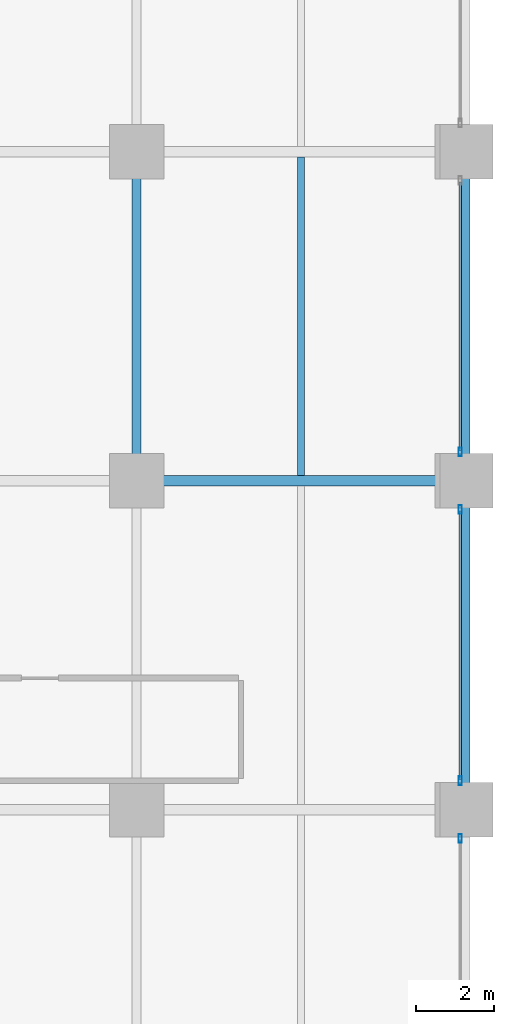
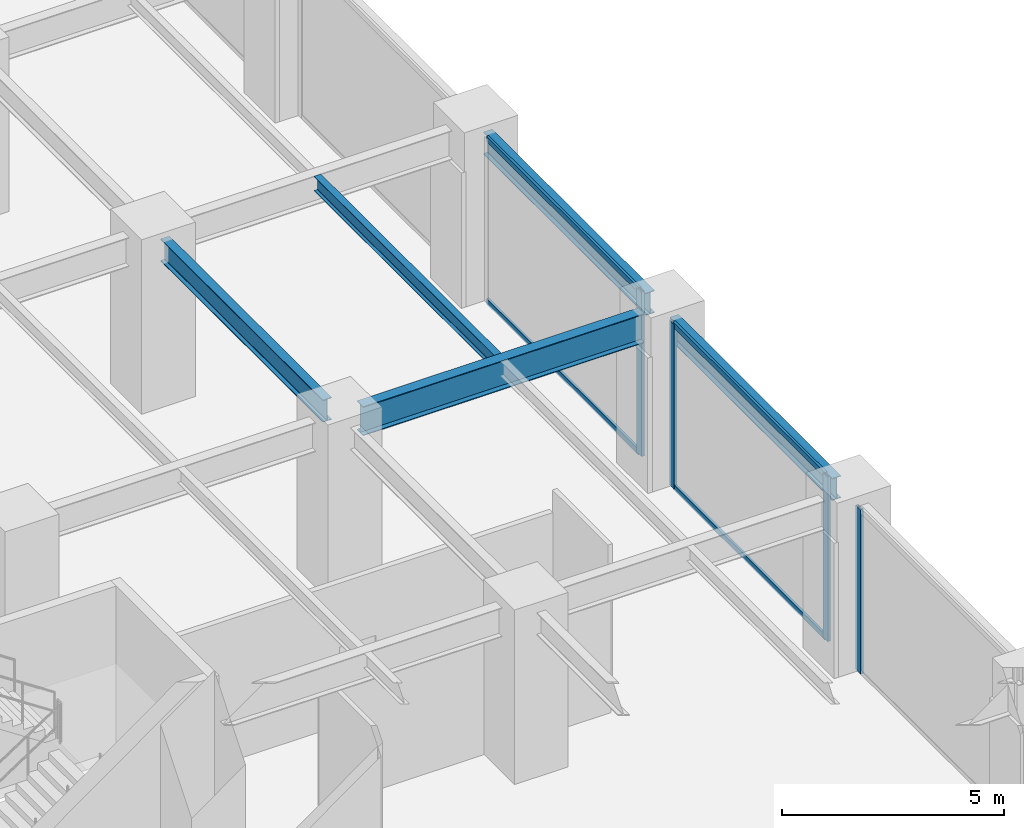
# One storey, part 8 of 23: 8 members, 5 beams, 3 elements without a shape of their own.
"""IFC4 building model written with IfcOpenShell, lengths in metres."""

from ifc_helpers import new_model, si_unit, direction, frame, origin, origin_2d, place, context, subcontext, project, spatial, hollow_rectangle, i_section, extrude, material, layer, layer_set, material_profile, profile_set, type_object, element, aggregate, save


model = new_model("IFC4")

# Units and contexts
model_context = context("Model", 3, precision=1e-05, world=origin(), true_north=direction((0.0, 1.0)))
body_context = subcontext(model_context, "Body", "Model", "MODEL_VIEW")
ifc_project = project(units=[si_unit("LENGTHUNIT", "METRE"), si_unit("AREAUNIT", "SQUARE_METRE"), si_unit("VOLUMEUNIT", "CUBIC_METRE"), si_unit("PLANEANGLEUNIT", "RADIAN"), si_unit("MASSUNIT", "GRAM", prefix="KILO")], contexts=[model_context])

# Site, building, storey
site_placement = place(None, origin())
site = spatial("IfcSite", under=ifc_project, at=site_placement, CompositionType="ELEMENT")
building_placement = place(site_placement, origin())
building = spatial("IfcBuilding", under=site, at=building_placement, Name="Nerrivon Quay Data Exchange", CompositionType="ELEMENT")
storey_placement = place(building_placement, frame((0.0, 0.0, 5.39990234375)))
storey = spatial("IfcBuildingStorey", under=building, at=storey_placement, Name="L01", CompositionType="ELEMENT", Elevation=5.39990234375)

# Beams
ifc_material_1 = material(Name="Steel Grade 350", Category="steel")
ifc_material_profile_1 = material_profile(ifc_material_1, i_section(OverallWidth=0.22900390625, OverallDepth=0.612060546875, WebThickness=0.011962890625, FlangeThickness=0.01953125, FilletRadius=0.013916015625, at=origin_2d()), Name="610UB125")
ifc_profile_set_1 = profile_set([ifc_material_profile_1], Name="Steel Grade 350")
beam_type_1 = type_object("IfcBeamType", Name="BM-G1-610UB125", PredefinedType="BEAM", material=ifc_profile_set_1)
beam_1_placement = place(storey_placement, frame((50.39990234375, 25.739990234375, 4.218994140625), z_axis=(0.0, 1.0, 0.0), x_axis=(-1.0, 0.0, 0.0)))
element("IfcBeam", 1, at=beam_1_placement, inside=storey, type_object=beam_type_1, Name="L01 NS Girder X=50.4 (25.2..33.6)", PredefinedType="BEAM", context=body_context, shape_type="SweptSolid", body=[
    extrude(i_section(OverallWidth=0.22900390625, OverallDepth=0.612060546875, WebThickness=0.011962890625, FlangeThickness=0.01953125, FilletRadius=0.013916015625, at=origin_2d()), origin(), (0.0, 0.0, 1.0), 7.320068359375),
])
beam_2_placement = place(storey_placement, frame((58.800048828125, 17.340087890625, 4.218994140625), z_axis=(0.0, 1.0, 0.0), x_axis=(-1.0, 0.0, 0.0)))
element("IfcBeam", 2, at=beam_2_placement, inside=storey, type_object=beam_type_1, Name="L01 NS Girder X=58.8 (16.8..25.2)", PredefinedType="BEAM", context=body_context, shape_type="SweptSolid", body=[
    extrude(i_section(OverallWidth=0.22900390625, OverallDepth=0.612060546875, WebThickness=0.011962890625, FlangeThickness=0.01953125, FilletRadius=0.013916015625, at=origin_2d()), origin(), (0.0, 0.0, 1.0), 7.31982421875),
])
beam_3_placement = place(storey_placement, frame((58.800048828125, 25.739990234375, 4.218994140625), z_axis=(0.0, 1.0, 0.0), x_axis=(-1.0, 0.0, 0.0)))
element("IfcBeam", 3, at=beam_3_placement, inside=storey, type_object=beam_type_1, Name="L01 NS Girder X=58.8 (25.2..33.6)", PredefinedType="BEAM", context=body_context, shape_type="SweptSolid", body=[
    extrude(i_section(OverallWidth=0.22900390625, OverallDepth=0.612060546875, WebThickness=0.011962890625, FlangeThickness=0.01953125, FilletRadius=0.013916015625, at=origin_2d()), origin(), (0.0, 0.0, 1.0), 7.320068359375),
])
ifc_material_profile_2 = material_profile(ifc_material_1, i_section(OverallWidth=0.27490234375, OverallDepth=0.800048828125, WebThickness=0.010009765625, FlangeThickness=0.02001953125, at=origin_2d()), Name="800WB146")
ifc_profile_set_2 = profile_set([ifc_material_profile_2], Name="Steel Grade 350")
beam_type_2 = type_object("IfcBeamType", Name="BM-G8-800WB146", PredefinedType="BEAM", material=ifc_profile_set_2)
beam_4_placement = place(storey_placement, frame((50.93994140625, 25.199951171875, 4.125), z_axis=(1.0, 0.0, 0.0), x_axis=(0.0, 1.0, 0.0)))
element("IfcBeam", 4, at=beam_4_placement, inside=storey, type_object=beam_type_2, Name="L01 EW Girder Y=25.2 (50.4..58.8)", PredefinedType="BEAM", context=body_context, shape_type="SweptSolid", body=[
    extrude(i_section(OverallWidth=0.27490234375, OverallDepth=0.800048828125, WebThickness=0.010009765625, FlangeThickness=0.02001953125, at=origin_2d()), origin(), (0.0, 0.0, 1.0), 7.320068359375),
])
ifc_material_profile_3 = material_profile(ifc_material_1, i_section(OverallWidth=0.177978515625, OverallDepth=0.403076171875, WebThickness=0.007568359375, FlangeThickness=0.010986328125, FilletRadius=0.011474609375, at=origin_2d()), Name="410UB53.7")
ifc_profile_set_3 = profile_set([ifc_material_profile_3], Name="Steel Grade 350")
beam_type_3 = type_object("IfcBeamType", Name="BM-J2-410UB54", PredefinedType="JOIST", material=ifc_profile_set_3)
beam_5_placement = place(storey_placement, frame((54.60009765625, 25.33740234375, 4.323486328125), z_axis=(0.0, 1.0, 0.0), x_axis=(-1.0, 0.0, 0.0)))
element("IfcBeam", 5, at=beam_5_placement, inside=storey, type_object=beam_type_3, Name="L01 Secondary Joist X=54.6 (25.2..33.6)", PredefinedType="JOIST", context=body_context, shape_type="SweptSolid", body=[
    extrude(i_section(OverallWidth=0.177978515625, OverallDepth=0.403076171875, WebThickness=0.007568359375, FlangeThickness=0.010986328125, FilletRadius=0.011474609375, at=origin_2d()), origin(), (0.0, 0.0, 1.0), 8.125),
])

# Curtain wall, member
ifc_material_2 = material(Name="Anodised aluminium 6063-T6", Category="aluminium")
ifc_layer = layer(ifc_material_2, 0.239990234375)
ifc_layer_set = layer_set([ifc_layer], Name="Anodised aluminium 6063-T6")
curtain_wall_type = type_object("IfcCurtainWallType", Name="CW-SYS-03", PredefinedType="NOTDEFINED", material=ifc_layer_set)
curtain_wall_1_placement = place(storey_placement, origin())
curtain_wall_1 = element("IfcCurtainWall", 6, at=curtain_wall_1_placement, inside=storey, type_object=curtain_wall_type, Name="L01 Unitised Curtain Wall 16", PredefinedType="NOTDEFINED")
ifc_material_profile_4 = material_profile(ifc_material_2, hollow_rectangle(XDim=0.074951171875, YDim=0.219970703125, WallThickness=0.00390625, at=origin_2d()), Name="ALU-MULL-220x75")
ifc_profile_set_4 = profile_set([ifc_material_profile_4], Name="Anodised aluminium 6063-T6")
member_type_1 = type_object("IfcMemberType", Name="CWM-220x75", PredefinedType="MULLION", material=ifc_profile_set_4)
member_1_placement = place(storey_placement, frame((58.659912109375, 25.9375, 0.0), z_axis=(0.0, 0.0, 1.0), x_axis=(1.0, 0.0, 0.0)))
member_1 = element("IfcMember", 7, at=member_1_placement, type_object=member_type_1, Name="CW03 mullion 2", PredefinedType="MULLION", context=body_context, shape_type="SweptSolid", body=[
    extrude(hollow_rectangle(XDim=0.074951171875, YDim=0.219970703125, WallThickness=0.00390625, at=origin_2d()), origin(), (0.0, 0.0, 1.0), 4.525146484375),
])

# Curtain wall, members
curtain_wall_2_placement = place(storey_placement, origin())
curtain_wall_2 = element("IfcCurtainWall", 8, at=curtain_wall_2_placement, inside=storey, type_object=curtain_wall_type, Name="L01 Unitised Curtain Wall 17", PredefinedType="NOTDEFINED")
member_2_placement = place(storey_placement, frame((58.659912109375, 24.46240234375, 0.0), z_axis=(0.0, 0.0, 1.0), x_axis=(1.0, 0.0, 0.0)))
member_2 = element("IfcMember", 9, at=member_2_placement, type_object=member_type_1, Name="CW03 mullion 1", PredefinedType="MULLION", context=body_context, shape_type="SweptSolid", body=[
    extrude(hollow_rectangle(XDim=0.074951171875, YDim=0.219970703125, WallThickness=0.00390625, at=origin_2d()), origin(), (0.0, 0.0, 1.0), 4.525146484375),
])
member_3_placement = place(storey_placement, frame((58.659912109375, 17.53759765625, 0.0), z_axis=(0.0, 0.0, 1.0), x_axis=(1.0, 0.0, 0.0)))
member_3 = element("IfcMember", 10, at=member_3_placement, type_object=member_type_1, Name="CW03 mullion 2", PredefinedType="MULLION", context=body_context, shape_type="SweptSolid", body=[
    extrude(hollow_rectangle(XDim=0.074951171875, YDim=0.219970703125, WallThickness=0.00390625, at=origin_2d()), origin(), (0.0, 0.0, 1.0), 4.525146484375),
])

# Curtain wall, member
curtain_wall_3_placement = place(storey_placement, origin())
curtain_wall_3 = element("IfcCurtainWall", 11, at=curtain_wall_3_placement, inside=storey, type_object=curtain_wall_type, Name="L01 Unitised Curtain Wall 18", PredefinedType="NOTDEFINED")
member_4_placement = place(storey_placement, frame((58.659912109375, 16.0625, 0.0), z_axis=(0.0, 0.0, 1.0), x_axis=(1.0, 0.0, 0.0)))
member_4 = element("IfcMember", 12, at=member_4_placement, type_object=member_type_1, Name="CW03 mullion 1", PredefinedType="MULLION", context=body_context, shape_type="SweptSolid", body=[
    extrude(hollow_rectangle(XDim=0.074951171875, YDim=0.219970703125, WallThickness=0.00390625, at=origin_2d()), origin(), (0.0, 0.0, 1.0), 4.525146484375),
])
aggregate(curtain_wall_3, [member_4])

# Member
ifc_material_profile_5 = material_profile(ifc_material_2, hollow_rectangle(XDim=0.06494140625, YDim=0.14990234375, WallThickness=0.00341796875, at=origin_2d()), Name="ALU-TRAN-150x65")
ifc_profile_set_5 = profile_set([ifc_material_profile_5], Name="Anodised aluminium 6063-T6")
member_type_2 = type_object("IfcMemberType", Name="CWT-150x65", PredefinedType="USERDEFINED", material=ifc_profile_set_5)
member_5_placement = place(storey_placement, frame((58.659912109375, 32.824951171875, 0.03271484375), z_axis=(0.0, -1.0, 0.0), x_axis=(1.0, 0.0, 0.0)))
member_5 = element("IfcMember", 13, at=member_5_placement, type_object=member_type_2, Name="CW03 transom 1.1", ObjectType="TRANSOM", PredefinedType="USERDEFINED", context=body_context, shape_type="SweptSolid", body=[
    extrude(hollow_rectangle(XDim=0.06494140625, YDim=0.14990234375, WallThickness=0.00341796875, at=origin_2d()), origin(), (0.0, 0.0, 1.0), 6.849853515625),
])

member_6_placement = place(storey_placement, frame((58.659912109375, 32.824951171875, 4.49267578125), z_axis=(0.0, -1.0, 0.0), x_axis=(1.0, 0.0, 0.0)))
member_6 = element("IfcMember", 14, at=member_6_placement, type_object=member_type_2, Name="CW03 transom 1.2", ObjectType="TRANSOM", PredefinedType="USERDEFINED", context=body_context, shape_type="SweptSolid", body=[
    extrude(hollow_rectangle(XDim=0.06494140625, YDim=0.14990234375, WallThickness=0.00341796875, at=origin_2d()), origin(), (0.0, 0.0, 1.0), 6.849853515625),
])

aggregate(curtain_wall_1, [member_1, member_5, member_6])

member_7_placement = place(storey_placement, frame((58.659912109375, 24.425048828125, 0.03271484375), z_axis=(0.0, -1.0, 0.0), x_axis=(1.0, 0.0, 0.0)))
member_7 = element("IfcMember", 15, at=member_7_placement, type_object=member_type_2, Name="CW03 transom 1.1", ObjectType="TRANSOM", PredefinedType="USERDEFINED", context=body_context, shape_type="SweptSolid", body=[
    extrude(hollow_rectangle(XDim=0.06494140625, YDim=0.14990234375, WallThickness=0.00341796875, at=origin_2d()), origin(), (0.0, 0.0, 1.0), 6.85009765625),
])

member_8_placement = place(storey_placement, frame((58.659912109375, 24.425048828125, 4.49267578125), z_axis=(0.0, -1.0, 0.0), x_axis=(1.0, 0.0, 0.0)))
member_8 = element("IfcMember", 16, at=member_8_placement, type_object=member_type_2, Name="CW03 transom 1.2", ObjectType="TRANSOM", PredefinedType="USERDEFINED", context=body_context, shape_type="SweptSolid", body=[
    extrude(hollow_rectangle(XDim=0.06494140625, YDim=0.14990234375, WallThickness=0.00341796875, at=origin_2d()), origin(), (0.0, 0.0, 1.0), 6.85009765625),
])

aggregate(curtain_wall_2, [member_2, member_3, member_7, member_8])

save(model, "model.ifc")
